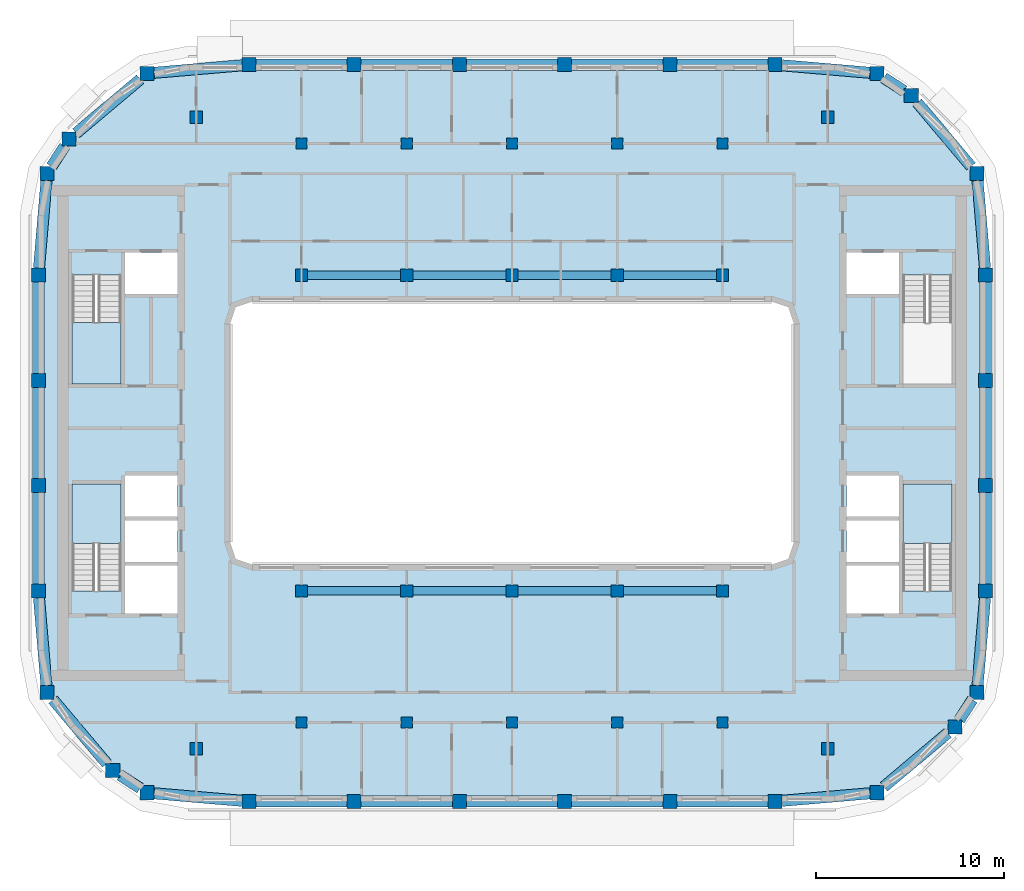
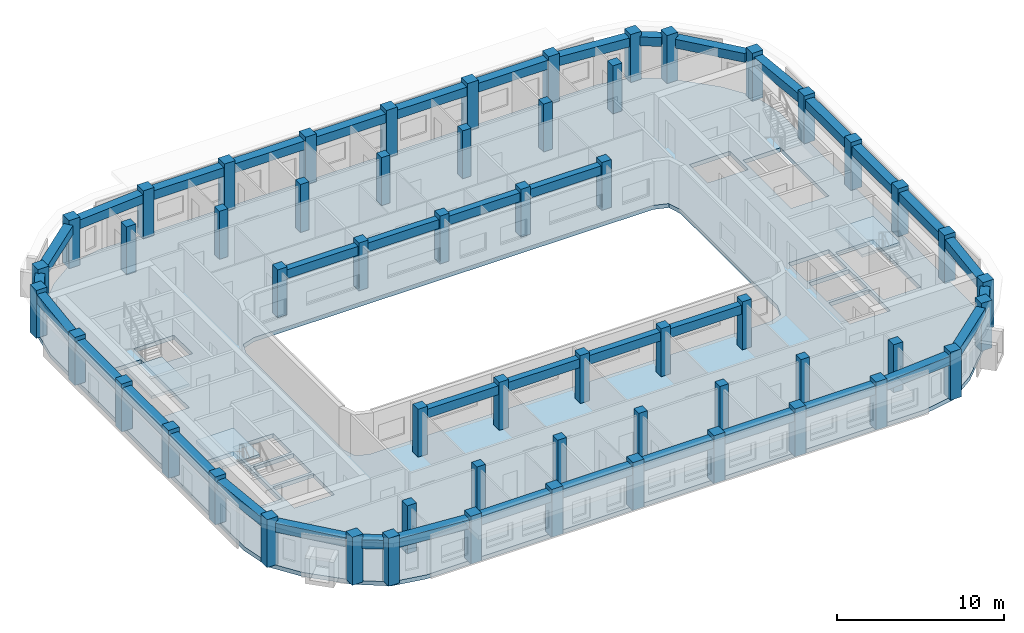
# One storey, part 1 of 16: 56 columns, 40 beams, 4 slabs, 3 elements without a shape of their own.
"""IFC4 building model written with IfcOpenShell, lengths in metres."""

from ifc_helpers import new_model, si_unit, direction, frame, origin, origin_2d, place, context, subcontext, project, spatial, polyline, rectangle, outline, extrude, material, layer, layer_set, material_profile, profile_set, type_object, element, aggregate, save


model = new_model("IFC4")

# Units and contexts
model_context = context("Model", 3, precision=1e-05, world=origin(), true_north=direction((0.0, 1.0)))
body_context = subcontext(model_context, "Body", "Model", "MODEL_VIEW")
ifc_project = project(units=[si_unit("LENGTHUNIT", "METRE"), si_unit("AREAUNIT", "SQUARE_METRE"), si_unit("VOLUMEUNIT", "CUBIC_METRE"), si_unit("PLANEANGLEUNIT", "RADIAN"), si_unit("MASSUNIT", "GRAM", prefix="KILO")], contexts=[model_context])

# Site, building, storey
site_placement = place(None, origin())
site = spatial("IfcSite", under=ifc_project, at=site_placement, CompositionType="ELEMENT")
building_placement = place(site_placement, origin())
building = spatial("IfcBuilding", under=site, at=building_placement, Name="Kiln Ring Residences", CompositionType="ELEMENT")
storey_placement = place(building_placement, frame((0.0, 0.0, 276.699951171875)))
storey = spatial("IfcBuildingStorey", under=building, at=storey_placement, Name="L72", CompositionType="ELEMENT", Elevation=276.699951171875)

# Columns
ifc_material_1 = material(Name="Concrete C60/75", Category="concrete")
ifc_material_profile_1 = material_profile(ifc_material_1, rectangle(XDim=0.60009765625, YDim=0.60009765625, at=origin_2d()), Name="RC600x600")
ifc_profile_set_1 = profile_set([ifc_material_profile_1], Name="Concrete C60/75")
column_type_1 = type_object("IfcColumnType", Name="Corridor column RC600x600 C60/75", PredefinedType="COLUMN", material=ifc_profile_set_1)
for number, where, z_axis, x_axis, name in (
    (1, (-11.199951171875, 15.39990234375, 0.0), (0.0, 0.0, 1.0), (1.0, 0.0, 0.0), "Corridor column L72 1"),
    (2, (-5.60009765625, 15.39990234375, 0.0), (0.0, 0.0, 1.0), (1.0, 0.0, 0.0), "Corridor column L72 2"),
    (3, (0.0, 15.39990234375, 0.0), (0.0, 0.0, 1.0), (1.0, 0.0, 0.0), "Corridor column L72 3"),
    (4, (5.60009765625, 15.39990234375, 0.0), (0.0, 0.0, 1.0), (1.0, 0.0, 0.0), "Corridor column L72 4"),
    (5, (11.199951171875, 15.39990234375, 0.0), (0.0, 0.0, 1.0), (1.0, 0.0, 0.0), "Corridor column L72 5"),
    (6, (-11.199951171875, -15.39990234375, 0.0), (0.0, 0.0, 1.0), (1.0, 0.0, 0.0), "Corridor column L72 6"),
    (7, (-5.60009765625, -15.39990234375, 0.0), (0.0, 0.0, 1.0), (1.0, 0.0, 0.0), "Corridor column L72 7"),
    (8, (0.0, -15.39990234375, 0.0), (0.0, 0.0, 1.0), (1.0, 0.0, 0.0), "Corridor column L72 8"),
    (9, (5.60009765625, -15.39990234375, 0.0), (0.0, 0.0, 1.0), (1.0, 0.0, 0.0), "Corridor column L72 9"),
    (10, (11.199951171875, -15.39990234375, 0.0), (0.0, 0.0, 1.0), (1.0, 0.0, 0.0), "Corridor column L72 10"),
):
    element("IfcColumn", number, at=place(storey_placement, frame(where, z_axis=z_axis, x_axis=x_axis)), inside=storey, type_object=column_type_1, Name=name, PredefinedType="COLUMN", context=body_context, shape_type="SweptSolid", body=[
        extrude(rectangle(XDim=0.60009765625, YDim=0.60009765625, at=origin_2d()), origin(), (0.0, 0.0, 1.0), 3.5),
    ])
ifc_material_2 = material(Name="Concrete C60/75", Category="concrete")
ifc_material_profile_2 = material_profile(ifc_material_2, rectangle(XDim=0.75, YDim=0.75, at=origin_2d()), Name="RC750x750")
ifc_profile_set_2 = profile_set([ifc_material_profile_2], Name="Concrete C60/75")
column_type_2 = type_object("IfcColumnType", Name="Perimeter column RC750x750 C60/75", PredefinedType="COLUMN", material=ifc_profile_set_2)
for number, where, z_axis, x_axis, name in (
    (11, (-19.40869140625, -19.13818359375, 0.0), (0.0, 0.0, 1.0), (1.0, 0.0, 0.0), "Perimeter column L72 1"),
    (12, (-14.0, -19.60009765625, 0.0), (0.0, 0.0, 1.0), (1.0, 0.0, 0.0), "Perimeter column L72 2"),
    (13, (-8.39990234375, -19.60009765625, 0.0), (0.0, 0.0, 1.0), (1.0, 0.0, 0.0), "Perimeter column L72 3"),
    (14, (-2.800048828125, -19.60009765625, 0.0), (0.0, 0.0, 1.0), (1.0, 0.0, 0.0), "Perimeter column L72 4"),
    (15, (2.800048828125, -19.60009765625, 0.0), (0.0, 0.0, 1.0), (1.0, 0.0, 0.0), "Perimeter column L72 5"),
    (16, (8.39990234375, -19.60009765625, 0.0), (0.0, 0.0, 1.0), (1.0, 0.0, 0.0), "Perimeter column L72 6"),
    (17, (14.0, -19.60009765625, 0.0), (0.0, 0.0, 1.0), (1.0, 0.0, 0.0), "Perimeter column L72 7"),
    (18, (19.40869140625, -19.13818359375, 0.0), (0.0, 0.0, 1.0), (1.0, 0.0, 0.0), "Perimeter column L72 8"),
    (19, (23.559814453125, -15.64013671875, 0.0), (0.0, 0.0, 1.0), (1.0, 0.0, 0.0), "Perimeter column L72 9"),
    (20, (24.738037109375, -13.80859375, 0.0), (0.0, 0.0, 1.0), (1.0, 0.0, 0.0), "Perimeter column L72 10"),
    (21, (25.199951171875, -8.39990234375, 0.0), (0.0, 0.0, 1.0), (1.0, 0.0, 0.0), "Perimeter column L72 11"),
    (22, (25.199951171875, -2.800048828125, 0.0), (0.0, 0.0, 1.0), (1.0, 0.0, 0.0), "Perimeter column L72 12"),
    (23, (25.199951171875, 2.800048828125, 0.0), (0.0, 0.0, 1.0), (1.0, 0.0, 0.0), "Perimeter column L72 13"),
    (24, (25.199951171875, 8.39990234375, 0.0), (0.0, 0.0, 1.0), (1.0, 0.0, 0.0), "Perimeter column L72 14"),
    (25, (24.738037109375, 13.80859375, 0.0), (0.0, 0.0, 1.0), (1.0, 0.0, 0.0), "Perimeter column L72 15"),
    (26, (21.240234375, 17.959716796875, 0.0), (0.0, 0.0, 1.0), (1.0, 0.0, 0.0), "Perimeter column L72 16"),
    (27, (19.40869140625, 19.13818359375, 0.0), (0.0, 0.0, 1.0), (1.0, 0.0, 0.0), "Perimeter column L72 17"),
    (28, (14.0, 19.60009765625, 0.0), (0.0, 0.0, 1.0), (1.0, 0.0, 0.0), "Perimeter column L72 18"),
    (29, (8.39990234375, 19.60009765625, 0.0), (0.0, 0.0, 1.0), (1.0, 0.0, 0.0), "Perimeter column L72 19"),
    (30, (2.800048828125, 19.60009765625, 0.0), (0.0, 0.0, 1.0), (1.0, 0.0, 0.0), "Perimeter column L72 20"),
    (31, (-2.800048828125, 19.60009765625, 0.0), (0.0, 0.0, 1.0), (1.0, 0.0, 0.0), "Perimeter column L72 21"),
    (32, (-8.39990234375, 19.60009765625, 0.0), (0.0, 0.0, 1.0), (1.0, 0.0, 0.0), "Perimeter column L72 22"),
    (33, (-14.0, 19.60009765625, 0.0), (0.0, 0.0, 1.0), (1.0, 0.0, 0.0), "Perimeter column L72 23"),
    (34, (-19.40869140625, 19.13818359375, 0.0), (0.0, 0.0, 1.0), (1.0, 0.0, 0.0), "Perimeter column L72 24"),
    (35, (-23.559814453125, 15.64013671875, 0.0), (0.0, 0.0, 1.0), (1.0, 0.0, 0.0), "Perimeter column L72 25"),
    (36, (-24.738037109375, 13.80859375, 0.0), (0.0, 0.0, 1.0), (1.0, 0.0, 0.0), "Perimeter column L72 26"),
    (37, (-25.199951171875, 8.39990234375, 0.0), (0.0, 0.0, 1.0), (1.0, 0.0, 0.0), "Perimeter column L72 27"),
    (38, (-25.199951171875, 2.800048828125, 0.0), (0.0, 0.0, 1.0), (1.0, 0.0, 0.0), "Perimeter column L72 28"),
    (39, (-25.199951171875, -2.800048828125, 0.0), (0.0, 0.0, 1.0), (1.0, 0.0, 0.0), "Perimeter column L72 29"),
    (40, (-25.199951171875, -8.39990234375, 0.0), (0.0, 0.0, 1.0), (1.0, 0.0, 0.0), "Perimeter column L72 30"),
    (41, (-24.738037109375, -13.80859375, 0.0), (0.0, 0.0, 1.0), (1.0, 0.0, 0.0), "Perimeter column L72 31"),
    (42, (-21.240234375, -17.959716796875, 0.0), (0.0, 0.0, 1.0), (1.0, 0.0, 0.0), "Perimeter column L72 32"),
):
    element("IfcColumn", number, at=place(storey_placement, frame(where, z_axis=z_axis, x_axis=x_axis)), inside=storey, type_object=column_type_2, Name=name, PredefinedType="COLUMN", context=body_context, shape_type="SweptSolid", body=[
        extrude(rectangle(XDim=0.75, YDim=0.75, at=origin_2d()), origin(), (0.0, 0.0, 1.0), 3.5),
    ])
ifc_material_3 = material(Name="Concrete C60/75", Category="concrete")
ifc_material_profile_3 = material_profile(ifc_material_3, rectangle(XDim=0.64990234375, YDim=0.64990234375, at=origin_2d()), Name="RC650x650")
ifc_profile_set_3 = profile_set([ifc_material_profile_3], Name="Concrete C60/75")
column_type_3 = type_object("IfcColumnType", Name="Ring column RC650x650 C60/75", PredefinedType="COLUMN", material=ifc_profile_set_3)
for number, where, z_axis, x_axis, name in (
    (43, (-16.800048828125, -16.800048828125, 0.0), (0.0, 0.0, 1.0), (1.0, 0.0, 0.0), "Ring column L72 1"),
    (44, (-16.800048828125, 16.800048828125, 0.0), (0.0, 0.0, 1.0), (1.0, 0.0, 0.0), "Ring column L72 2"),
    (45, (-11.199951171875, -8.39990234375, 0.0), (0.0, 0.0, 1.0), (1.0, 0.0, 0.0), "Ring column L72 3"),
    (46, (-11.199951171875, 8.39990234375, 0.0), (0.0, 0.0, 1.0), (1.0, 0.0, 0.0), "Ring column L72 4"),
    (47, (-5.60009765625, -8.39990234375, 0.0), (0.0, 0.0, 1.0), (1.0, 0.0, 0.0), "Ring column L72 5"),
    (48, (-5.60009765625, 8.39990234375, 0.0), (0.0, 0.0, 1.0), (1.0, 0.0, 0.0), "Ring column L72 6"),
    (49, (0.0, -8.39990234375, 0.0), (0.0, 0.0, 1.0), (1.0, 0.0, 0.0), "Ring column L72 7"),
    (50, (0.0, 8.39990234375, 0.0), (0.0, 0.0, 1.0), (1.0, 0.0, 0.0), "Ring column L72 8"),
    (51, (5.60009765625, -8.39990234375, 0.0), (0.0, 0.0, 1.0), (1.0, 0.0, 0.0), "Ring column L72 9"),
    (52, (5.60009765625, 8.39990234375, 0.0), (0.0, 0.0, 1.0), (1.0, 0.0, 0.0), "Ring column L72 10"),
    (53, (11.199951171875, -8.39990234375, 0.0), (0.0, 0.0, 1.0), (1.0, 0.0, 0.0), "Ring column L72 11"),
    (54, (11.199951171875, 8.39990234375, 0.0), (0.0, 0.0, 1.0), (1.0, 0.0, 0.0), "Ring column L72 12"),
    (55, (16.800048828125, -16.800048828125, 0.0), (0.0, 0.0, 1.0), (1.0, 0.0, 0.0), "Ring column L72 13"),
    (56, (16.800048828125, 16.800048828125, 0.0), (0.0, 0.0, 1.0), (1.0, 0.0, 0.0), "Ring column L72 14"),
):
    element("IfcColumn", number, at=place(storey_placement, frame(where, z_axis=z_axis, x_axis=x_axis)), inside=storey, type_object=column_type_3, Name=name, PredefinedType="COLUMN", context=body_context, shape_type="SweptSolid", body=[
        extrude(rectangle(XDim=0.64990234375, YDim=0.64990234375, at=origin_2d()), origin(), (0.0, 0.0, 1.0), 3.5),
    ])

# Beams
ifc_material_4 = material(Name="Concrete C50/60", Category="concrete")
ifc_material_profile_4 = material_profile(ifc_material_4, rectangle(XDim=0.449951171875, YDim=0.64990234375, at=origin_2d()), Name="RC450x650")
ifc_profile_set_4 = profile_set([ifc_material_profile_4], Name="Concrete C50/60")
beam_type_1 = type_object("IfcBeamType", Name="Ring beam RC450x650 C50/60", PredefinedType="BEAM", material=ifc_profile_set_4)
for number, where, z_axis, x_axis, name in (
    (57, (-10.875, -8.39990234375, 2.875), (1.0, 0.0, 0.0), (0.0, 1.0, 0.0), "Ring beam L72 1"),
    (58, (-5.27490234375, -8.39990234375, 2.875), (1.0, 0.0, 0.0), (0.0, 1.0, 0.0), "Ring beam L72 2"),
    (59, (0.324951171875, -8.39990234375, 2.875), (1.0, 0.0, 0.0), (0.0, 1.0, 0.0), "Ring beam L72 3"),
    (60, (5.925048828125, -8.39990234375, 2.875), (1.0, 0.0, 0.0), (0.0, 1.0, 0.0), "Ring beam L72 4"),
    (61, (-10.875, 8.39990234375, 2.875), (1.0, 0.0, 0.0), (0.0, 1.0, 0.0), "Ring beam L72 5"),
    (62, (-5.27490234375, 8.39990234375, 2.875), (1.0, 0.0, 0.0), (0.0, 1.0, 0.0), "Ring beam L72 6"),
    (63, (0.324951171875, 8.39990234375, 2.875), (1.0, 0.0, 0.0), (0.0, 1.0, 0.0), "Ring beam L72 7"),
    (64, (5.925048828125, 8.39990234375, 2.875), (1.0, 0.0, 0.0), (0.0, 1.0, 0.0), "Ring beam L72 8"),
):
    element("IfcBeam", number, at=place(storey_placement, frame(where, z_axis=z_axis, x_axis=x_axis)), inside=storey, type_object=beam_type_1, Name=name, PredefinedType="BEAM", context=body_context, shape_type="SweptSolid", body=[
        extrude(rectangle(XDim=0.449951171875, YDim=0.64990234375, at=origin_2d()), origin(), (0.0, 0.0, 1.0), 4.949951171875),
    ])
ifc_material_5 = material(Name="Concrete C50/60", Category="concrete")
ifc_material_profile_5 = material_profile(ifc_material_5, rectangle(XDim=0.60009765625, YDim=0.64990234375, at=origin_2d()), Name="RC600x650")
ifc_profile_set_5 = profile_set([ifc_material_profile_5], Name="Concrete C50/60")
beam_type_2 = type_object("IfcBeamType", Name="Spandrel beam RC600x650 C50/60", PredefinedType="SPANDREL", material=ifc_profile_set_5)
beam_1_placement = place(storey_placement, frame((-19.03369140625, -19.170166015625, 2.875), z_axis=(0.996375913916, -0.085059027553, 0.0), x_axis=(0.085059027553, 0.996375913916, 0.0)))
element("IfcBeam", 65, at=beam_1_placement, inside=storey, type_object=beam_type_2, Name="Spandrel beam L72 1", PredefinedType="SPANDREL", context=body_context, shape_type="SweptSolid", body=[
    extrude(rectangle(XDim=0.60009765625, YDim=0.64990234375, at=origin_2d()), origin(), (0.0, 0.0, 1.0), 4.675537109375),
])
beam_2_placement = place(storey_placement, frame((-13.625, -19.60009765625, 2.875), z_axis=(1.0, 0.0, 0.0), x_axis=(0.0, 1.0, 0.0)))
element("IfcBeam", 66, at=beam_2_placement, inside=storey, type_object=beam_type_2, Name="Spandrel beam L72 2", PredefinedType="SPANDREL", context=body_context, shape_type="SweptSolid", body=[
    extrude(rectangle(XDim=0.60009765625, YDim=0.64990234375, at=origin_2d()), origin(), (0.0, 0.0, 1.0), 4.85009765625),
])
beam_3_placement = place(storey_placement, frame((-8.02490234375, -19.60009765625, 2.875), z_axis=(1.0, 0.0, 0.0), x_axis=(0.0, 1.0, 0.0)))
element("IfcBeam", 67, at=beam_3_placement, inside=storey, type_object=beam_type_2, Name="Spandrel beam L72 3", PredefinedType="SPANDREL", context=body_context, shape_type="SweptSolid", body=[
    extrude(rectangle(XDim=0.60009765625, YDim=0.64990234375, at=origin_2d()), origin(), (0.0, 0.0, 1.0), 4.849853515625),
])
beam_4_placement = place(storey_placement, frame((-2.425048828125, -19.60009765625, 2.875), z_axis=(1.0, 0.0, 0.0), x_axis=(0.0, 1.0, 0.0)))
element("IfcBeam", 68, at=beam_4_placement, inside=storey, type_object=beam_type_2, Name="Spandrel beam L72 4", PredefinedType="SPANDREL", context=body_context, shape_type="SweptSolid", body=[
    extrude(rectangle(XDim=0.60009765625, YDim=0.64990234375, at=origin_2d()), origin(), (0.0, 0.0, 1.0), 4.85009765625),
])
beam_5_placement = place(storey_placement, frame((3.175048828125, -19.60009765625, 2.875), z_axis=(1.0, 0.0, 0.0), x_axis=(0.0, 1.0, 0.0)))
element("IfcBeam", 69, at=beam_5_placement, inside=storey, type_object=beam_type_2, Name="Spandrel beam L72 5", PredefinedType="SPANDREL", context=body_context, shape_type="SweptSolid", body=[
    extrude(rectangle(XDim=0.60009765625, YDim=0.64990234375, at=origin_2d()), origin(), (0.0, 0.0, 1.0), 4.849853515625),
])
beam_6_placement = place(storey_placement, frame((8.77490234375, -19.60009765625, 2.875), z_axis=(1.0, 0.0, 0.0), x_axis=(0.0, 1.0, 0.0)))
element("IfcBeam", 70, at=beam_6_placement, inside=storey, type_object=beam_type_2, Name="Spandrel beam L72 6", PredefinedType="SPANDREL", context=body_context, shape_type="SweptSolid", body=[
    extrude(rectangle(XDim=0.60009765625, YDim=0.64990234375, at=origin_2d()), origin(), (0.0, 0.0, 1.0), 4.85009765625),
])
beam_7_placement = place(storey_placement, frame((14.375, -19.56787109375, 2.875), z_axis=(0.996375913916, 0.085059027553, 0.0), x_axis=(-0.085059027553, 0.996375913916, 0.0)))
element("IfcBeam", 71, at=beam_7_placement, inside=storey, type_object=beam_type_2, Name="Spandrel beam L72 7", PredefinedType="SPANDREL", context=body_context, shape_type="SweptSolid", body=[
    extrude(rectangle(XDim=0.60009765625, YDim=0.64990234375, at=origin_2d()), origin(), (0.0, 0.0, 1.0), 4.675537109375),
])
beam_8_placement = place(storey_placement, frame((19.78369140625, -18.822021484375, 2.875), z_axis=(0.764731805725, 0.644348714062, 0.0), x_axis=(-0.644348714062, 0.764731805725, 0.0)))
element("IfcBeam", 72, at=beam_8_placement, inside=storey, type_object=beam_type_2, Name="Spandrel beam L72 8", PredefinedType="SPANDREL", context=body_context, shape_type="SweptSolid", body=[
    extrude(rectangle(XDim=0.60009765625, YDim=0.64990234375, at=origin_2d()), origin(), (0.0, 0.0, 1.0), 4.447509765625),
])
beam_9_placement = place(storey_placement, frame((23.801025390625, -15.26513671875, 2.875), z_axis=(0.541045404444, 0.840993383048, 0.0), x_axis=(-0.840993383048, 0.541045404444, 0.0)))
element("IfcBeam", 73, at=beam_9_placement, inside=storey, type_object=beam_type_2, Name="Spandrel beam L72 9", PredefinedType="SPANDREL", context=body_context, shape_type="SweptSolid", body=[
    extrude(rectangle(XDim=0.60009765625, YDim=0.64990234375, at=origin_2d()), origin(), (0.0, 0.0, 1.0), 1.2861328125),
])
beam_10_placement = place(storey_placement, frame((24.77001953125, -13.43359375, 2.875), z_axis=(0.085110864913, 0.996371487285, 0.0), x_axis=(-0.996371487285, 0.085110864913, 0.0)))
element("IfcBeam", 74, at=beam_10_placement, inside=storey, type_object=beam_type_2, Name="Spandrel beam L72 10", PredefinedType="SPANDREL", context=body_context, shape_type="SweptSolid", body=[
    extrude(rectangle(XDim=0.60009765625, YDim=0.64990234375, at=origin_2d()), origin(), (0.0, 0.0, 1.0), 4.675537109375),
])
beam_11_placement = place(storey_placement, frame((25.199951171875, -8.02490234375, 2.875), z_axis=(0.0, 1.0, 0.0), x_axis=(-1.0, 0.0, 0.0)))
element("IfcBeam", 75, at=beam_11_placement, inside=storey, type_object=beam_type_2, Name="Spandrel beam L72 11", PredefinedType="SPANDREL", context=body_context, shape_type="SweptSolid", body=[
    extrude(rectangle(XDim=0.60009765625, YDim=0.64990234375, at=origin_2d()), origin(), (0.0, 0.0, 1.0), 4.849853515625),
])
beam_12_placement = place(storey_placement, frame((25.199951171875, -2.425048828125, 2.875), z_axis=(0.0, 1.0, 0.0), x_axis=(-1.0, 0.0, 0.0)))
element("IfcBeam", 76, at=beam_12_placement, inside=storey, type_object=beam_type_2, Name="Spandrel beam L72 12", PredefinedType="SPANDREL", context=body_context, shape_type="SweptSolid", body=[
    extrude(rectangle(XDim=0.60009765625, YDim=0.64990234375, at=origin_2d()), origin(), (0.0, 0.0, 1.0), 4.85009765625),
])
beam_13_placement = place(storey_placement, frame((25.199951171875, 3.175048828125, 2.875), z_axis=(0.0, 1.0, 0.0), x_axis=(-1.0, 0.0, 0.0)))
element("IfcBeam", 77, at=beam_13_placement, inside=storey, type_object=beam_type_2, Name="Spandrel beam L72 13", PredefinedType="SPANDREL", context=body_context, shape_type="SweptSolid", body=[
    extrude(rectangle(XDim=0.60009765625, YDim=0.64990234375, at=origin_2d()), origin(), (0.0, 0.0, 1.0), 4.849853515625),
])
beam_14_placement = place(storey_placement, frame((25.16796875, 8.77490234375, 2.875), z_axis=(-0.085110864913, 0.996371487285, 0.0), x_axis=(-0.996371487285, -0.085110864913, 0.0)))
element("IfcBeam", 78, at=beam_14_placement, inside=storey, type_object=beam_type_2, Name="Spandrel beam L72 14", PredefinedType="SPANDREL", context=body_context, shape_type="SweptSolid", body=[
    extrude(rectangle(XDim=0.60009765625, YDim=0.64990234375, at=origin_2d()), origin(), (0.0, 0.0, 1.0), 4.675537109375),
])
beam_15_placement = place(storey_placement, frame((24.422119140625, 14.18359375, 2.875), z_axis=(-0.644380815325, 0.764704756648, 0.0), x_axis=(-0.764704756648, -0.644380815325, 0.0)))
element("IfcBeam", 79, at=beam_15_placement, inside=storey, type_object=beam_type_2, Name="Spandrel beam L72 15", PredefinedType="SPANDREL", context=body_context, shape_type="SweptSolid", body=[
    extrude(rectangle(XDim=0.60009765625, YDim=0.64990234375, at=origin_2d()), origin(), (0.0, 0.0, 1.0), 4.447509765625),
])
beam_16_placement = place(storey_placement, frame((20.865234375, 18.201171875, 2.875), z_axis=(-0.841079761586, 0.540911115295, 0.0), x_axis=(-0.540911115295, -0.841079761586, 0.0)))
element("IfcBeam", 80, at=beam_16_placement, inside=storey, type_object=beam_type_2, Name="Spandrel beam L72 16", PredefinedType="SPANDREL", context=body_context, shape_type="SweptSolid", body=[
    extrude(rectangle(XDim=0.60009765625, YDim=0.64990234375, at=origin_2d()), origin(), (0.0, 0.0, 1.0), 1.285888671875),
])
beam_17_placement = place(storey_placement, frame((19.03369140625, 19.170166015625, 2.875), z_axis=(-0.996375913916, 0.085059027553, 0.0), x_axis=(-0.085059027553, -0.996375913916, 0.0)))
element("IfcBeam", 81, at=beam_17_placement, inside=storey, type_object=beam_type_2, Name="Spandrel beam L72 17", PredefinedType="SPANDREL", context=body_context, shape_type="SweptSolid", body=[
    extrude(rectangle(XDim=0.60009765625, YDim=0.64990234375, at=origin_2d()), origin(), (0.0, 0.0, 1.0), 4.675537109375),
])
beam_18_placement = place(storey_placement, frame((13.625, 19.60009765625, 2.875), z_axis=(-1.0, 0.0, 0.0), x_axis=(0.0, -1.0, 0.0)))
element("IfcBeam", 82, at=beam_18_placement, inside=storey, type_object=beam_type_2, Name="Spandrel beam L72 18", PredefinedType="SPANDREL", context=body_context, shape_type="SweptSolid", body=[
    extrude(rectangle(XDim=0.60009765625, YDim=0.64990234375, at=origin_2d()), origin(), (0.0, 0.0, 1.0), 4.85009765625),
])
beam_19_placement = place(storey_placement, frame((8.02490234375, 19.60009765625, 2.875), z_axis=(-1.0, 0.0, 0.0), x_axis=(0.0, -1.0, 0.0)))
element("IfcBeam", 83, at=beam_19_placement, inside=storey, type_object=beam_type_2, Name="Spandrel beam L72 19", PredefinedType="SPANDREL", context=body_context, shape_type="SweptSolid", body=[
    extrude(rectangle(XDim=0.60009765625, YDim=0.64990234375, at=origin_2d()), origin(), (0.0, 0.0, 1.0), 4.849853515625),
])
beam_20_placement = place(storey_placement, frame((2.425048828125, 19.60009765625, 2.875), z_axis=(-1.0, 0.0, 0.0), x_axis=(0.0, -1.0, 0.0)))
element("IfcBeam", 84, at=beam_20_placement, inside=storey, type_object=beam_type_2, Name="Spandrel beam L72 20", PredefinedType="SPANDREL", context=body_context, shape_type="SweptSolid", body=[
    extrude(rectangle(XDim=0.60009765625, YDim=0.64990234375, at=origin_2d()), origin(), (0.0, 0.0, 1.0), 4.85009765625),
])
beam_21_placement = place(storey_placement, frame((-3.175048828125, 19.60009765625, 2.875), z_axis=(-1.0, 0.0, 0.0), x_axis=(0.0, -1.0, 0.0)))
element("IfcBeam", 85, at=beam_21_placement, inside=storey, type_object=beam_type_2, Name="Spandrel beam L72 21", PredefinedType="SPANDREL", context=body_context, shape_type="SweptSolid", body=[
    extrude(rectangle(XDim=0.60009765625, YDim=0.64990234375, at=origin_2d()), origin(), (0.0, 0.0, 1.0), 4.849853515625),
])
beam_22_placement = place(storey_placement, frame((-8.77490234375, 19.60009765625, 2.875), z_axis=(-1.0, 0.0, 0.0), x_axis=(0.0, -1.0, 0.0)))
element("IfcBeam", 86, at=beam_22_placement, inside=storey, type_object=beam_type_2, Name="Spandrel beam L72 22", PredefinedType="SPANDREL", context=body_context, shape_type="SweptSolid", body=[
    extrude(rectangle(XDim=0.60009765625, YDim=0.64990234375, at=origin_2d()), origin(), (0.0, 0.0, 1.0), 4.85009765625),
])
beam_23_placement = place(storey_placement, frame((-14.375, 19.56787109375, 2.875), z_axis=(-0.996375913916, -0.085059027553, 0.0), x_axis=(0.085059027553, -0.996375913916, 0.0)))
element("IfcBeam", 87, at=beam_23_placement, inside=storey, type_object=beam_type_2, Name="Spandrel beam L72 23", PredefinedType="SPANDREL", context=body_context, shape_type="SweptSolid", body=[
    extrude(rectangle(XDim=0.60009765625, YDim=0.64990234375, at=origin_2d()), origin(), (0.0, 0.0, 1.0), 4.675537109375),
])
beam_24_placement = place(storey_placement, frame((-19.78369140625, 18.822021484375, 2.875), z_axis=(-0.764731805725, -0.644348714062, 0.0), x_axis=(0.644348714062, -0.764731805725, 0.0)))
element("IfcBeam", 88, at=beam_24_placement, inside=storey, type_object=beam_type_2, Name="Spandrel beam L72 24", PredefinedType="SPANDREL", context=body_context, shape_type="SweptSolid", body=[
    extrude(rectangle(XDim=0.60009765625, YDim=0.64990234375, at=origin_2d()), origin(), (0.0, 0.0, 1.0), 4.447509765625),
])
beam_25_placement = place(storey_placement, frame((-23.801025390625, 15.26513671875, 2.875), z_axis=(-0.541045404444, -0.840993383048, 0.0), x_axis=(0.840993383048, -0.541045404444, 0.0)))
element("IfcBeam", 89, at=beam_25_placement, inside=storey, type_object=beam_type_2, Name="Spandrel beam L72 25", PredefinedType="SPANDREL", context=body_context, shape_type="SweptSolid", body=[
    extrude(rectangle(XDim=0.60009765625, YDim=0.64990234375, at=origin_2d()), origin(), (0.0, 0.0, 1.0), 1.2861328125),
])
beam_26_placement = place(storey_placement, frame((-24.77001953125, 13.43359375, 2.875), z_axis=(-0.085110864913, -0.996371487285, 0.0), x_axis=(0.996371487285, -0.085110864913, 0.0)))
element("IfcBeam", 90, at=beam_26_placement, inside=storey, type_object=beam_type_2, Name="Spandrel beam L72 26", PredefinedType="SPANDREL", context=body_context, shape_type="SweptSolid", body=[
    extrude(rectangle(XDim=0.60009765625, YDim=0.64990234375, at=origin_2d()), origin(), (0.0, 0.0, 1.0), 4.675537109375),
])
beam_27_placement = place(storey_placement, frame((-25.199951171875, 8.02490234375, 2.875), z_axis=(0.0, -1.0, 0.0), x_axis=(1.0, 0.0, 0.0)))
element("IfcBeam", 91, at=beam_27_placement, inside=storey, type_object=beam_type_2, Name="Spandrel beam L72 27", PredefinedType="SPANDREL", context=body_context, shape_type="SweptSolid", body=[
    extrude(rectangle(XDim=0.60009765625, YDim=0.64990234375, at=origin_2d()), origin(), (0.0, 0.0, 1.0), 4.849853515625),
])
beam_28_placement = place(storey_placement, frame((-25.199951171875, 2.425048828125, 2.875), z_axis=(0.0, -1.0, 0.0), x_axis=(1.0, 0.0, 0.0)))
element("IfcBeam", 92, at=beam_28_placement, inside=storey, type_object=beam_type_2, Name="Spandrel beam L72 28", PredefinedType="SPANDREL", context=body_context, shape_type="SweptSolid", body=[
    extrude(rectangle(XDim=0.60009765625, YDim=0.64990234375, at=origin_2d()), origin(), (0.0, 0.0, 1.0), 4.85009765625),
])
beam_29_placement = place(storey_placement, frame((-25.199951171875, -3.175048828125, 2.875), z_axis=(0.0, -1.0, 0.0), x_axis=(1.0, 0.0, 0.0)))
element("IfcBeam", 93, at=beam_29_placement, inside=storey, type_object=beam_type_2, Name="Spandrel beam L72 29", PredefinedType="SPANDREL", context=body_context, shape_type="SweptSolid", body=[
    extrude(rectangle(XDim=0.60009765625, YDim=0.64990234375, at=origin_2d()), origin(), (0.0, 0.0, 1.0), 4.849853515625),
])
beam_30_placement = place(storey_placement, frame((-25.16796875, -8.77490234375, 2.875), z_axis=(0.085110864913, -0.996371487285, 0.0), x_axis=(0.996371487285, 0.085110864913, 0.0)))
element("IfcBeam", 94, at=beam_30_placement, inside=storey, type_object=beam_type_2, Name="Spandrel beam L72 30", PredefinedType="SPANDREL", context=body_context, shape_type="SweptSolid", body=[
    extrude(rectangle(XDim=0.60009765625, YDim=0.64990234375, at=origin_2d()), origin(), (0.0, 0.0, 1.0), 4.675537109375),
])
beam_31_placement = place(storey_placement, frame((-24.422119140625, -14.18359375, 2.875), z_axis=(0.644380815325, -0.764704756648, 0.0), x_axis=(0.764704756648, 0.644380815325, 0.0)))
element("IfcBeam", 95, at=beam_31_placement, inside=storey, type_object=beam_type_2, Name="Spandrel beam L72 31", PredefinedType="SPANDREL", context=body_context, shape_type="SweptSolid", body=[
    extrude(rectangle(XDim=0.60009765625, YDim=0.64990234375, at=origin_2d()), origin(), (0.0, 0.0, 1.0), 4.447509765625),
])
beam_32_placement = place(storey_placement, frame((-20.865234375, -18.201171875, 2.875), z_axis=(0.841079761586, -0.540911115295, 0.0), x_axis=(0.540911115295, 0.841079761586, 0.0)))
element("IfcBeam", 96, at=beam_32_placement, inside=storey, type_object=beam_type_2, Name="Spandrel beam L72 32", PredefinedType="SPANDREL", context=body_context, shape_type="SweptSolid", body=[
    extrude(rectangle(XDim=0.60009765625, YDim=0.64990234375, at=origin_2d()), origin(), (0.0, 0.0, 1.0), 1.285888671875),
])

# Stair, slab
ifc_material_6 = material(Name="Concrete C40/50", Category="concrete")
stair_type = type_object("IfcStairType", Name="CORE-STAIR", PredefinedType="HALF_TURN_STAIR", material=ifc_material_6)
placement_1 = place(storey_placement, origin())
stair_1 = element("IfcStair", 97, at=placement_1, inside=storey, type_object=stair_type, Name="L72 stair W-STN", PredefinedType="HALF_TURN_STAIR")
ifc_material_7 = material(Name="Concrete C40/50", Category="concrete")
ifc_layer_1 = layer(ifc_material_7, 0.199951171875)
ifc_layer_set_1 = layer_set([ifc_layer_1], Name="CORE-STAIR-LANDING")
slab_type_1 = type_object("IfcSlabType", Name="CORE-STAIR-LANDING", PredefinedType="LANDING", material=ifc_layer_set_1)
placement_2 = place(storey_placement, frame((0.0, 0.0, 1.550048828125)))
slab_1 = element("IfcSlab", 98, at=placement_2, type_object=slab_type_1, Name="W-STN landing 1", PredefinedType="LANDING", context=body_context, shape_type="SweptSolid", body=[
    extrude(outline(polyline([(-23.39990234375, 5.8798828125), (-23.39990234375, 2.60009765625), (-20.800048828125, 2.60009765625), (-20.800048828125, 5.8798828125), (-23.39990234375, 5.8798828125)])), origin(), (0.0, 0.0, 1.0), 0.199951171875),
])
aggregate(stair_1, [slab_1])

stair_2 = element("IfcStair", 99, at=placement_1, inside=storey, type_object=stair_type, Name="L72 stair W-STS", PredefinedType="HALF_TURN_STAIR")
slab_2 = element("IfcSlab", 100, at=placement_2, type_object=slab_type_1, Name="W-STS landing 1", PredefinedType="LANDING", context=body_context, shape_type="SweptSolid", body=[
    extrude(outline(polyline([(-20.800048828125, -5.8798828125), (-20.800048828125, -2.699951171875), (-23.39990234375, -2.699951171875), (-23.39990234375, -5.8798828125), (-20.800048828125, -5.8798828125)])), origin(), (0.0, 0.0, 1.0), 0.199951171875),
])
aggregate(stair_2, [slab_2])

stair_3 = element("IfcStair", 101, at=placement_1, inside=storey, type_object=stair_type, Name="L72 stair E-STS", PredefinedType="HALF_TURN_STAIR")
slab_3 = element("IfcSlab", 102, at=placement_2, type_object=slab_type_1, Name="E-STS landing 1", PredefinedType="LANDING", context=body_context, shape_type="SweptSolid", body=[
    extrude(outline(polyline([(23.39990234375, -5.8798828125), (23.39990234375, -2.699951171875), (20.800048828125, -2.699951171875), (20.800048828125, -5.8798828125), (23.39990234375, -5.8798828125)])), origin(), (0.0, 0.0, 1.0), 0.199951171875),
])
aggregate(stair_3, [slab_3])

# Slab
ifc_material_8 = material(Name="Concrete C40/50", Category="concrete")
ifc_layer_2 = layer(ifc_material_8, 0.300048828125)
ifc_layer_set_2 = layer_set([ifc_layer_2], Name="Floor slab 300")
slab_type_2 = type_object("IfcSlabType", Name="Floor slab 300", PredefinedType="FLOOR", material=ifc_layer_set_2)
slab_4_placement = place(storey_placement, frame((0.0, 0.0, -0.300048828125)))
element("IfcSlab", 103, at=slab_4_placement, inside=storey, type_object=slab_type_2, Name="Floor slab L72 1", PredefinedType="FLOOR", context=body_context, shape_type="SweptSolid", body=[
    extrude(outline(polyline([(-23.5029296875, -15.697021484375), (-21.297119140625, -17.90283203125), (-19.42431640625, -19.17578125), (-17.199951171875, -19.60009765625), (17.199951171875, -19.60009765625), (19.42431640625, -19.17578125), (21.297119140625, -17.90283203125), (23.5029296875, -15.697021484375), (24.775634765625, -13.82421875), (25.199951171875, -11.60009765625), (25.199951171875, 11.60009765625), (24.775634765625, 13.82421875), (23.5029296875, 15.697021484375), (21.297119140625, 17.90283203125), (19.42431640625, 19.17578125), (17.199951171875, 19.60009765625), (-17.199951171875, 19.60009765625), (-19.42431640625, 19.17578125), (-21.297119140625, 17.90283203125), (-23.5029296875, 15.697021484375), (-24.775634765625, 13.82421875), (-25.199951171875, 11.60009765625), (-25.199951171875, -11.60009765625), (-24.775634765625, -13.82421875), (-23.5029296875, -15.697021484375)]), holes=[polyline([(-14.699951171875, -6.699951171875), (-15.0, -5.800048828125), (-15.0, 5.800048828125), (-14.699951171875, 6.699951171875), (-13.800048828125, 7.0), (13.800048828125, 7.0), (14.699951171875, 6.699951171875), (15.0, 5.800048828125), (15.0, -5.800048828125), (14.699951171875, -6.699951171875), (13.800048828125, -7.0), (-13.800048828125, -7.0), (-14.699951171875, -6.699951171875)]), polyline([(20.800048828125, -8.39794921875), (20.800048828125, -2.699951171875), (23.39990234375, -2.699951171875), (23.39990234375, -8.39794921875), (20.800048828125, -8.39794921875)]), polyline([(20.800048828125, 2.60009765625), (20.800048828125, 8.39794921875), (23.39990234375, 8.39794921875), (23.39990234375, 2.60009765625), (20.800048828125, 2.60009765625)]), polyline([(17.800048828125, -6.85009765625), (17.800048828125, -4.64990234375), (20.60009765625, -4.64990234375), (20.60009765625, -6.85009765625), (17.800048828125, -6.85009765625)]), polyline([(17.800048828125, 7.39990234375), (17.800048828125, 9.60009765625), (20.60009765625, 9.60009765625), (20.60009765625, 7.39990234375), (17.800048828125, 7.39990234375)]), polyline([(20.60009765625, -9.60009765625), (17.800048828125, -9.60009765625), (17.800048828125, -7.050048828125), (20.60009765625, -7.050048828125), (20.60009765625, -9.60009765625)]), polyline([(20.60009765625, -4.449951171875), (17.800048828125, -4.449951171875), (17.800048828125, -2.25), (20.60009765625, -2.25), (20.60009765625, -4.449951171875)]), polyline([(-17.800048828125, -7.050048828125), (-17.800048828125, -9.60009765625), (-20.60009765625, -9.60009765625), (-20.60009765625, -7.050048828125), (-17.800048828125, -7.050048828125)]), polyline([(-17.800048828125, -6.85009765625), (-20.60009765625, -6.85009765625), (-20.60009765625, -4.64990234375), (-17.800048828125, -4.64990234375), (-17.800048828125, -6.85009765625)]), polyline([(-17.800048828125, -2.25), (-17.800048828125, -4.449951171875), (-20.60009765625, -4.449951171875), (-20.60009765625, -2.25), (-17.800048828125, -2.25)]), polyline([(-17.800048828125, 7.39990234375), (-20.60009765625, 7.39990234375), (-20.60009765625, 9.60009765625), (-17.800048828125, 9.60009765625), (-17.800048828125, 7.39990234375)]), polyline([(-20.800048828125, -8.39794921875), (-23.39990234375, -8.39794921875), (-23.39990234375, -2.699951171875), (-20.800048828125, -2.699951171875), (-20.800048828125, -8.39794921875)]), polyline([(-20.800048828125, 2.60009765625), (-23.39990234375, 2.60009765625), (-23.39990234375, 8.39794921875), (-20.800048828125, 8.39794921875), (-20.800048828125, 2.60009765625)])]), origin(), (0.0, 0.0, 1.0), 0.300048828125),
])

save(model, "model.ifc")
